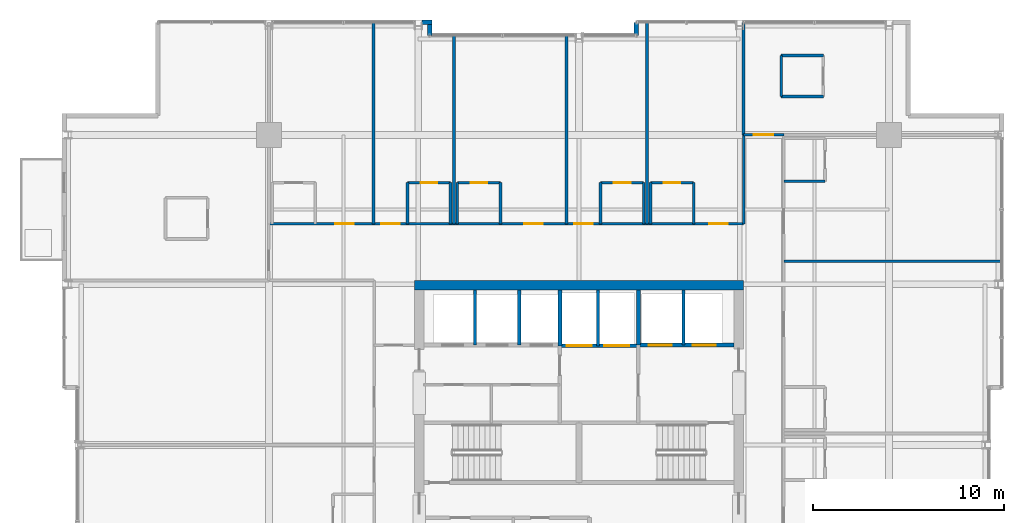
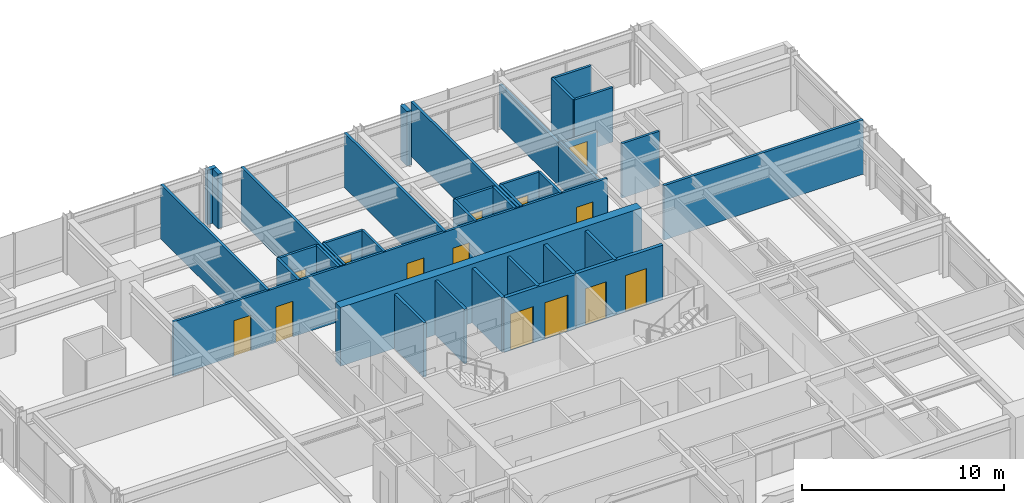
# One storey, part 28 of 32: 37 walls, 14 doors, 14 openings.
"""IFC4 building model written with IfcOpenShell, lengths in metres."""

from ifc_helpers import new_model, si_unit, direction, frame, frame_2d, origin, place, context, subcontext, project, spatial, rectangle, extrude, material, layer, layer_set, type_object, element, fill, save


model = new_model("IFC4")

# Units and contexts
model_context = context("Model", 3, precision=1e-05, world=origin(), true_north=direction((0.0, 1.0)))
body_context = subcontext(model_context, "Body", "Model", "MODEL_VIEW")
ifc_project = project(units=[si_unit("LENGTHUNIT", "METRE"), si_unit("AREAUNIT", "SQUARE_METRE"), si_unit("VOLUMEUNIT", "CUBIC_METRE"), si_unit("PLANEANGLEUNIT", "RADIAN"), si_unit("MASSUNIT", "GRAM", prefix="KILO")], contexts=[model_context])

# Site, building, storey
site_placement = place(None, origin())
site = spatial("IfcSite", under=ifc_project, at=site_placement, CompositionType="ELEMENT")
building_placement = place(site_placement, origin())
building = spatial("IfcBuilding", under=site, at=building_placement, Name="Drelvath Grand Hotel", CompositionType="ELEMENT")
storey_placement = place(building_placement, frame((0.0, 0.0, 189.449951171875)))
storey = spatial("IfcBuildingStorey", under=building, at=storey_placement, Name="L49", CompositionType="ELEMENT", Elevation=189.449951171875)

# Wall, openings, doors
ifc_material_1 = material(Name="Concrete C40/50", Category="concrete")
ifc_layer_1 = layer(ifc_material_1, 0.199951171875)
ifc_layer_set_1 = layer_set([ifc_layer_1], Name="Concrete C40/50")
wall_type_1 = type_object("IfcWallType", Name="Core Hoistway Fire Wall 200", PredefinedType="SOLIDWALL", material=ifc_layer_set_1)
wall_1_placement = place(storey_placement, frame((3.10009765625, 32.219970703125, 0.0), z_axis=(0.0, 0.0, 1.0), x_axis=(1.0, 0.0, 0.0)))
wall_1 = element("IfcWall", 1, at=wall_1_placement, inside=storey, type_object=wall_type_1, Name="L49 FSAE Hoistway Front Wall", PredefinedType="SOLIDWALL", context=body_context, shape_type="SweptSolid", body=[
    extrude(rectangle(XDim=5.0, YDim=0.199951171875, at=frame_2d((2.5, 0.0))), origin(), (0.0, 0.0, 1.0), 3.2900390625),
])
opening_1_placement = place(wall_1_placement, frame((0.550048828125, 0.0, 0.0)))
opening_1 = element("IfcOpeningElement", 2, at=opening_1_placement, cuts=wall_1, Name="Opening LD-FSAE-1", PredefinedType="OPENING", context=body_context, shape_type="SweptSolid", body=[
    extrude(rectangle(XDim=1.199951171875, YDim=2.199951171875, at=frame_2d((0.60009765625, 1.10009765625))), frame((0.0, 0.10986328125, 0.0), z_axis=(0.0, -1.0, 0.0), x_axis=(1.0, 0.0, 0.0)), (0.0, 0.0, 1.0), 0.219970703125),
])
opening_2_placement = place(wall_1_placement, frame((2.85009765625, 0.0, 0.0)))
opening_2 = element("IfcOpeningElement", 3, at=opening_2_placement, cuts=wall_1, Name="Opening LD-FSAE-2", PredefinedType="OPENING", context=body_context, shape_type="SweptSolid", body=[
    extrude(rectangle(XDim=1.199951171875, YDim=2.199951171875, at=frame_2d((0.60009765625, 1.10009765625))), frame((0.0, 0.10986328125, 0.0), z_axis=(0.0, -1.0, 0.0), x_axis=(1.0, 0.0, 0.0)), (0.0, 0.0, 1.0), 0.219970703125),
])
ifc_material_2 = material(Name="Stainless Steel S355", Category="steel")
door_type_1 = type_object("IfcDoorType", Name="FSAE Lift Sliding Landing Door 1200x2200", OperationType="NOTDEFINED", PredefinedType="DOOR", material=ifc_material_2)
door_1_placement = place(opening_1_placement, origin())
door_1 = element("IfcDoor", 4, at=door_1_placement, inside=storey, type_object=door_type_1, Name="L49 Lift FSAE-1 Landing Door", OperationType="SLIDING_TO_LEFT", OverallHeight=2.199951171875, OverallWidth=1.199951171875, PredefinedType="DOOR", context=body_context, shape_type="SweptSolid", body=[
    extrude(rectangle(XDim=1.199951171875, YDim=2.199951171875, at=frame_2d((0.60009765625, 1.10009765625))), frame((0.0, 0.02490234375, 0.0), z_axis=(0.0, -1.0, 0.0), x_axis=(1.0, 0.0, 0.0)), (0.0, 0.0, 1.0), 0.050048828125),
])
fill(opening_1, door_1)
door_2_placement = place(opening_2_placement, origin())
door_2 = element("IfcDoor", 5, at=door_2_placement, inside=storey, type_object=door_type_1, Name="L49 Lift FSAE-2 Landing Door", OperationType="SLIDING_TO_LEFT", OverallHeight=2.199951171875, OverallWidth=1.199951171875, PredefinedType="DOOR", context=body_context, shape_type="SweptSolid", body=[
    extrude(rectangle(XDim=1.199951171875, YDim=2.199951171875, at=frame_2d((0.60009765625, 1.10009765625))), frame((0.0, 0.02490234375, 0.0), z_axis=(0.0, -1.0, 0.0), x_axis=(1.0, 0.0, 0.0)), (0.0, 0.0, 1.0), 0.050048828125),
])
fill(opening_2, door_2)

# Wall
wall_2_placement = place(storey_placement, frame((3.10009765625, 32.219970703125, 0.0), z_axis=(0.0, 0.0, 1.0), x_axis=(0.0, 1.0, 0.0)))
element("IfcWall", 6, at=wall_2_placement, inside=storey, type_object=wall_type_1, Name="L49 FSAE Hoistway West Wall", PredefinedType="SOLIDWALL", context=body_context, shape_type="SweptSolid", body=[
    extrude(rectangle(XDim=2.880126953125, YDim=0.199951171875, at=frame_2d((1.43994140625, 0.0))), origin(), (0.0, 0.0, 1.0), 3.2900390625),
])

# Wall, openings, doors
wall_3_placement = place(storey_placement, frame((-1.0, 32.179931640625, 0.0), z_axis=(0.0, 0.0, 1.0), x_axis=(1.0, 0.0, 0.0)))
wall_3 = element("IfcWall", 7, at=wall_3_placement, inside=storey, type_object=wall_type_1, Name="L49 Service Lift Hoistway Wall", PredefinedType="SOLIDWALL", context=body_context, shape_type="SweptSolid", body=[
    extrude(rectangle(XDim=4.10009765625, YDim=0.199951171875, at=frame_2d((2.050048828125, 0.0))), origin(), (0.0, 0.0, 1.0), 3.2900390625),
])
opening_3_placement = place(wall_3_placement, frame((0.3701171875, 0.0, 0.0)))
opening_3 = element("IfcOpeningElement", 8, at=opening_3_placement, cuts=wall_3, Name="Opening LD-SV-2", PredefinedType="OPENING", context=body_context, shape_type="SweptSolid", body=[
    extrude(rectangle(XDim=1.300048828125, YDim=2.199951171875, at=frame_2d((0.64990234375, 1.10009765625))), frame((0.0, 0.10986328125, 0.0), z_axis=(0.0, -1.0, 0.0), x_axis=(1.0, 0.0, 0.0)), (0.0, 0.0, 1.0), 0.219970703125),
])
opening_4_placement = place(wall_3_placement, frame((2.330078125, 0.0, 0.0)))
opening_4 = element("IfcOpeningElement", 9, at=opening_4_placement, cuts=wall_3, Name="Opening LD-SV-1", PredefinedType="OPENING", context=body_context, shape_type="SweptSolid", body=[
    extrude(rectangle(XDim=1.300048828125, YDim=2.199951171875, at=frame_2d((0.64990234375, 1.10009765625))), frame((0.0, 0.10986328125, 0.0), z_axis=(0.0, -1.0, 0.0), x_axis=(1.0, 0.0, 0.0)), (0.0, 0.0, 1.0), 0.219970703125),
])
door_type_2 = type_object("IfcDoorType", Name="Service Lift Sliding Landing Door 1300x2200", OperationType="NOTDEFINED", PredefinedType="DOOR", material=ifc_material_2)
door_3_placement = place(opening_3_placement, origin())
door_3 = element("IfcDoor", 10, at=door_3_placement, inside=storey, type_object=door_type_2, Name="L49 Lift SV-2 Landing Door", OperationType="SLIDING_TO_LEFT", OverallHeight=2.199951171875, OverallWidth=1.300048828125, PredefinedType="DOOR", context=body_context, shape_type="SweptSolid", body=[
    extrude(rectangle(XDim=1.300048828125, YDim=2.199951171875, at=frame_2d((0.64990234375, 1.10009765625))), frame((0.0, 0.02490234375, 0.0), z_axis=(0.0, -1.0, 0.0), x_axis=(1.0, 0.0, 0.0)), (0.0, 0.0, 1.0), 0.050048828125),
])
fill(opening_3, door_3)
door_4_placement = place(opening_4_placement, origin())
door_4 = element("IfcDoor", 11, at=door_4_placement, inside=storey, type_object=door_type_2, Name="L49 Lift SV-1 Landing Door", OperationType="SLIDING_TO_LEFT", OverallHeight=2.199951171875, OverallWidth=1.300048828125, PredefinedType="DOOR", context=body_context, shape_type="SweptSolid", body=[
    extrude(rectangle(XDim=1.300048828125, YDim=2.199951171875, at=frame_2d((0.64990234375, 1.10009765625))), frame((0.0, 0.02490234375, 0.0), z_axis=(0.0, -1.0, 0.0), x_axis=(1.0, 0.0, 0.0)), (0.0, 0.0, 1.0), 0.050048828125),
])
fill(opening_4, door_4)

# Walls
wall_4_placement = place(storey_placement, frame((-1.0, 32.179931640625, 0.0), z_axis=(0.0, 0.0, 1.0), x_axis=(0.0, 1.0, 0.0)))
element("IfcWall", 12, at=wall_4_placement, inside=storey, type_object=wall_type_1, Name="L49 Service Lift West Wall", PredefinedType="SOLIDWALL", context=body_context, shape_type="SweptSolid", body=[
    extrude(rectangle(XDim=2.920166015625, YDim=0.199951171875, at=frame_2d((1.4599609375, 0.0))), origin(), (0.0, 0.0, 1.0), 3.2900390625),
])
ifc_material_3 = material(Name="Gypsum Fireboard Partition")
ifc_layer_2 = layer(ifc_material_3, 0.1650390625)
ifc_layer_set_2 = layer_set([ifc_layer_2], Name="Gypsum Fireboard Partition")
wall_type_2 = type_object("IfcWallType", Name="Core Shaft Partition 165", PredefinedType="PARTITIONING", material=ifc_layer_set_2)
wall_5_placement = place(storey_placement, frame((5.449951171875, 32.219970703125, 0.0), z_axis=(0.0, 0.0, 1.0), x_axis=(0.0, 1.0, 0.0)))
element("IfcWall", 13, at=wall_5_placement, inside=storey, type_object=wall_type_2, Name="L49 FSAE Hoistway Divider", PredefinedType="PARTITIONING", context=body_context, shape_type="SweptSolid", body=[
    extrude(rectangle(XDim=2.880126953125, YDim=0.1650390625, at=frame_2d((1.43994140625, 0.0))), origin(), (0.0, 0.0, 1.0), 3.2900390625),
])
wall_6_placement = place(storey_placement, frame((1.0, 32.179931640625, 0.0), z_axis=(0.0, 0.0, 1.0), x_axis=(0.0, 1.0, 0.0)))
element("IfcWall", 14, at=wall_6_placement, inside=storey, type_object=wall_type_2, Name="L49 Service Lift Divider", PredefinedType="PARTITIONING", context=body_context, shape_type="SweptSolid", body=[
    extrude(rectangle(XDim=2.920166015625, YDim=0.1650390625, at=frame_2d((1.4599609375, 0.0))), origin(), (0.0, 0.0, 1.0), 3.2900390625),
])
for number, where, z_axis, x_axis, name in (
    (15, (-5.43994140625, 32.219970703125, 0.0), (0.0, 0.0, 1.0), (0.0, 1.0, 0.0), "L49 Lift PE-7/8 Divider"),
    (16, (-3.1201171875, 32.219970703125, 0.0), (0.0, 0.0, 1.0), (0.0, 1.0, 0.0), "L49 Lift PE-8/9 Divider"),
):
    element("IfcWall", number, at=place(storey_placement, frame(where, z_axis=z_axis, x_axis=x_axis)), inside=storey, type_object=wall_type_2, Name=name, PredefinedType="PARTITIONING", context=body_context, shape_type="SweptSolid", body=[
        extrude(rectangle(XDim=2.880126953125, YDim=0.1650390625, at=frame_2d((1.43994140625, 0.0))), origin(), (0.0, 0.0, 1.0), 3.2900390625),
    ])
ifc_layer_3 = layer(ifc_material_3, 0.135009765625)
ifc_layer_set_3 = layer_set([ifc_layer_3], Name="Gypsum Fireboard Partition")
wall_type_3 = type_object("IfcWallType", Name="Corridor Fire Barrier Wall 135", PredefinedType="PARTITIONING", material=ifc_layer_set_3)
wall_7_placement = place(storey_placement, frame((8.60009765625, 38.550048828125, 0.0), z_axis=(0.0, 0.0, 1.0), x_axis=(0.0, 1.0, 0.0)))
element("IfcWall", 17, at=wall_7_placement, inside=storey, type_object=wall_type_3, Name="L49 East Spine North Inner Wall", PredefinedType="PARTITIONING", context=body_context, shape_type="SweptSolid", body=[
    extrude(rectangle(XDim=4.64990234375, YDim=0.135009765625, at=frame_2d((2.324951171875, 0.0))), origin(), (0.0, 0.0, 1.0), 2.66748046875),
])

# Wall, openings, doors
wall_8_placement = place(storey_placement, frame((-16.199951171875, 38.550048828125, 0.0), z_axis=(0.0, 0.0, 1.0), x_axis=(1.0, 0.0, 0.0)))
wall_8 = element("IfcWall", 18, at=wall_8_placement, inside=storey, type_object=wall_type_3, Name="L49 North Stub Corridor Wall", PredefinedType="PARTITIONING", context=body_context, shape_type="SweptSolid", body=[
    extrude(rectangle(XDim=24.800048828125, YDim=0.135009765625, at=frame_2d((12.39990234375, 0.0))), origin(), (0.0, 0.0, 1.0), 3.2900390625),
])
opening_5_placement = place(wall_8_placement, frame((3.46728515625, 0.0, 0.0)))
opening_5 = element("IfcOpeningElement", 19, at=opening_5_placement, cuts=wall_8, Name="Opening D-T3G4-040", PredefinedType="OPENING", context=body_context, shape_type="SweptSolid", body=[
    extrude(rectangle(XDim=0.9599609375, YDim=2.14990234375, at=frame_2d((0.47998046875, 1.074951171875))), frame((0.0, 0.077392578125, 0.0), z_axis=(0.0, -1.0, 0.0), x_axis=(1.0, 0.0, 0.0)), (0.0, 0.0, 1.0), 0.155029296875),
])
opening_6_placement = place(wall_8_placement, frame((5.87109375, 0.0, 0.0)))
opening_6 = element("IfcOpeningElement", 20, at=opening_6_placement, cuts=wall_8, Name="Opening D-T3G4-042", PredefinedType="OPENING", context=body_context, shape_type="SweptSolid", body=[
    extrude(rectangle(XDim=0.9599609375, YDim=2.14990234375, at=frame_2d((0.47998046875, 1.074951171875))), frame((0.0, 0.077392578125, 0.0), z_axis=(0.0, -1.0, 0.0), x_axis=(1.0, 0.0, 0.0)), (0.0, 0.0, 1.0), 0.155029296875),
])
opening_7_placement = place(wall_8_placement, frame((13.34521484375, 0.0, 0.0)))
opening_7 = element("IfcOpeningElement", 21, at=opening_7_placement, cuts=wall_8, Name="Opening D-T3G4-044", PredefinedType="OPENING", context=body_context, shape_type="SweptSolid", body=[
    extrude(rectangle(XDim=0.9599609375, YDim=2.14990234375, at=frame_2d((0.47998046875, 1.074951171875))), frame((0.0, 0.077392578125, 0.0), z_axis=(0.0, -1.0, 0.0), x_axis=(1.0, 0.0, 0.0)), (0.0, 0.0, 1.0), 0.155029296875),
])
opening_8_placement = place(wall_8_placement, frame((15.959228515625, 0.0, 0.0)))
opening_8 = element("IfcOpeningElement", 22, at=opening_8_placement, cuts=wall_8, Name="Opening D-T3G4-046", PredefinedType="OPENING", context=body_context, shape_type="SweptSolid", body=[
    extrude(rectangle(XDim=0.9599609375, YDim=2.14990234375, at=frame_2d((0.47998046875, 1.074951171875))), frame((0.0, 0.077392578125, 0.0), z_axis=(0.0, -1.0, 0.0), x_axis=(1.0, 0.0, 0.0)), (0.0, 0.0, 1.0), 0.155029296875),
])
opening_9_placement = place(wall_8_placement, frame((23.012939453125, 0.0, 0.0)))
opening_9 = element("IfcOpeningElement", 23, at=opening_9_placement, cuts=wall_8, Name="Opening D-T3G4-048", PredefinedType="OPENING", context=body_context, shape_type="SweptSolid", body=[
    extrude(rectangle(XDim=0.9599609375, YDim=2.14990234375, at=frame_2d((0.47998046875, 1.074951171875))), frame((0.0, 0.077392578125, 0.0), z_axis=(0.0, -1.0, 0.0), x_axis=(1.0, 0.0, 0.0)), (0.0, 0.0, 1.0), 0.155029296875),
])
ifc_material_4 = material(Name="Hardwood Walnut Timber", Category="wood")
door_type_3 = type_object("IfcDoorType", Name="Guestroom Entrance Fire Door 960x2150", OperationType="NOTDEFINED", PredefinedType="DOOR", material=ifc_material_4)
door_5_placement = place(opening_5_placement, origin())
door_5 = element("IfcDoor", 24, at=door_5_placement, inside=storey, type_object=door_type_3, Name="L49 Deluxe Guest Room Entry Door", OperationType="SINGLE_SWING_RIGHT", OverallHeight=2.14990234375, OverallWidth=0.9599609375, PredefinedType="DOOR", context=body_context, shape_type="SweptSolid", body=[
    extrude(rectangle(XDim=0.9599609375, YDim=2.14990234375, at=frame_2d((0.47998046875, 1.074951171875))), frame((0.0, 0.02490234375, 0.0), z_axis=(0.0, -1.0, 0.0), x_axis=(1.0, 0.0, 0.0)), (0.0, 0.0, 1.0), 0.050048828125),
])
fill(opening_5, door_5)
door_6_placement = place(opening_6_placement, origin())
door_6 = element("IfcDoor", 25, at=door_6_placement, inside=storey, type_object=door_type_3, Name="L49 Deluxe Guest Room Entry Door", OperationType="SINGLE_SWING_RIGHT", OverallHeight=2.14990234375, OverallWidth=0.9599609375, PredefinedType="DOOR", context=body_context, shape_type="SweptSolid", body=[
    extrude(rectangle(XDim=0.9599609375, YDim=2.14990234375, at=frame_2d((0.47998046875, 1.074951171875))), frame((0.0, 0.02490234375, 0.0), z_axis=(0.0, -1.0, 0.0), x_axis=(1.0, 0.0, 0.0)), (0.0, 0.0, 1.0), 0.050048828125),
])
fill(opening_6, door_6)
door_7_placement = place(opening_7_placement, origin())
door_7 = element("IfcDoor", 26, at=door_7_placement, inside=storey, type_object=door_type_3, Name="L49 Deluxe Guest Room Entry Door", OperationType="SINGLE_SWING_RIGHT", OverallHeight=2.14990234375, OverallWidth=0.9599609375, PredefinedType="DOOR", context=body_context, shape_type="SweptSolid", body=[
    extrude(rectangle(XDim=0.9599609375, YDim=2.14990234375, at=frame_2d((0.47998046875, 1.074951171875))), frame((0.0, 0.02490234375, 0.0), z_axis=(0.0, -1.0, 0.0), x_axis=(1.0, 0.0, 0.0)), (0.0, 0.0, 1.0), 0.050048828125),
])
fill(opening_7, door_7)
door_8_placement = place(opening_8_placement, origin())
door_8 = element("IfcDoor", 27, at=door_8_placement, inside=storey, type_object=door_type_3, Name="L49 Deluxe Guest Room Entry Door", OperationType="SINGLE_SWING_RIGHT", OverallHeight=2.14990234375, OverallWidth=0.9599609375, PredefinedType="DOOR", context=body_context, shape_type="SweptSolid", body=[
    extrude(rectangle(XDim=0.9599609375, YDim=2.14990234375, at=frame_2d((0.47998046875, 1.074951171875))), frame((0.0, 0.02490234375, 0.0), z_axis=(0.0, -1.0, 0.0), x_axis=(1.0, 0.0, 0.0)), (0.0, 0.0, 1.0), 0.050048828125),
])
fill(opening_8, door_8)
door_9_placement = place(opening_9_placement, origin())
door_9 = element("IfcDoor", 28, at=door_9_placement, inside=storey, type_object=door_type_3, Name="L49 Deluxe Guest Room Entry Door", OperationType="SINGLE_SWING_RIGHT", OverallHeight=2.14990234375, OverallWidth=0.9599609375, PredefinedType="DOOR", context=body_context, shape_type="SweptSolid", body=[
    extrude(rectangle(XDim=0.9599609375, YDim=2.14990234375, at=frame_2d((0.47998046875, 1.074951171875))), frame((0.0, 0.02490234375, 0.0), z_axis=(0.0, -1.0, 0.0), x_axis=(1.0, 0.0, 0.0)), (0.0, 0.0, 1.0), 0.050048828125),
])
fill(opening_9, door_9)

# Wall, opening, door
wall_9_placement = place(storey_placement, frame((8.60009765625, 43.199951171875, 0.0), z_axis=(0.0, 0.0, 1.0), x_axis=(1.0, 0.0, 0.0)))
wall_9 = element("IfcWall", 29, at=wall_9_placement, inside=storey, type_object=wall_type_3, Name="L49 East Spine North End", PredefinedType="PARTITIONING", context=body_context, shape_type="SweptSolid", body=[
    extrude(rectangle(XDim=2.099853515625, YDim=0.135009765625, at=frame_2d((1.0498046875, 0.0))), origin(), (0.0, 0.0, 1.0), 2.57958984375),
])
opening_10_placement = place(wall_9_placement, frame((0.52001953125, 0.0, 0.0)))
opening_10 = element("IfcOpeningElement", 30, at=opening_10_placement, cuts=wall_9, Name="Opening D-T3G4-033", PredefinedType="OPENING", context=body_context, shape_type="SweptSolid", body=[
    extrude(rectangle(XDim=1.02001953125, YDim=2.14990234375, at=frame_2d((0.510009765625, 1.074951171875))), frame((0.0, 0.077392578125, 0.0), z_axis=(0.0, -1.0, 0.0), x_axis=(1.0, 0.0, 0.0)), (0.0, 0.0, 1.0), 0.155029296875),
])
door_type_4 = type_object("IfcDoorType", Name="Amenity Meeting Fire Door 1020x2150", OperationType="NOTDEFINED", PredefinedType="DOOR", material=ifc_material_4)
door_10_placement = place(opening_10_placement, origin())
door_10 = element("IfcDoor", 31, at=door_10_placement, inside=storey, type_object=door_type_4, Name="L49 Executive Suite Entry Door", OperationType="SINGLE_SWING_LEFT", OverallHeight=2.14990234375, OverallWidth=1.02001953125, PredefinedType="DOOR", context=body_context, shape_type="SweptSolid", body=[
    extrude(rectangle(XDim=1.02001953125, YDim=2.14990234375, at=frame_2d((0.510009765625, 1.074951171875))), frame((0.0, 0.02490234375, 0.0), z_axis=(0.0, -1.0, 0.0), x_axis=(1.0, 0.0, 0.0)), (0.0, 0.0, 1.0), 0.050048828125),
])
fill(opening_10, door_10)

# Walls
ifc_material_5 = material(Name="Moisture-Resistant Gypsum Board")
ifc_layer_4 = layer(ifc_material_5, 0.139892578125)
ifc_layer_set_4 = layer_set([ifc_layer_4], Name="Moisture-Resistant Gypsum Board")
wall_type_4 = type_object("IfcWallType", Name="En-Suite Plumbing Wall 140", PredefinedType="PLUMBINGWALL", material=ifc_layer_set_4)
for number, where, z_axis, x_axis, name in (
    (32, (10.56005859375, 45.199951171875, 0.0), (0.0, 0.0, 1.0), (1.0, 0.0, 0.0), "L49 Corner En-Suite South"),
    (33, (10.56005859375, 47.35009765625, 0.0), (0.0, 0.0, 1.0), (1.0, 0.0, 0.0), "L49 Corner En-Suite North"),
):
    element("IfcWall", number, at=place(storey_placement, frame(where, z_axis=z_axis, x_axis=x_axis)), inside=storey, type_object=wall_type_4, Name=name, PredefinedType="PLUMBINGWALL", context=body_context, shape_type="SweptSolid", body=[
        extrude(rectangle(XDim=2.199951171875, YDim=0.139892578125, at=frame_2d((1.10009765625, 0.0))), origin(), (0.0, 0.0, 1.0), 3.2900390625),
    ])
wall_10_placement = place(storey_placement, frame((10.56005859375, 45.199951171875, 0.0), z_axis=(0.0, 0.0, 1.0), x_axis=(0.0, 1.0, 0.0)))
element("IfcWall", 34, at=wall_10_placement, inside=storey, type_object=wall_type_4, Name="L49 Corner En-Suite West", PredefinedType="PLUMBINGWALL", context=body_context, shape_type="SweptSolid", body=[
    extrude(rectangle(XDim=2.150146484375, YDim=0.139892578125, at=frame_2d((1.0751953125, 0.0))), origin(), (0.0, 0.0, 1.0), 3.2900390625),
])
for number, where, z_axis, x_axis, name in (
    (35, (-8.962158203125, 38.550048828125, 0.0), (0.0, 0.0, 1.0), (0.0, 1.0, 0.0), "L49 En-Suite Left Wall"),
    (36, (-6.712158203125, 38.550048828125, 0.0), (0.0, 0.0, 1.0), (0.0, 1.0, 0.0), "L49 En-Suite Right Wall"),
):
    element("IfcWall", number, at=place(storey_placement, frame(where, z_axis=z_axis, x_axis=x_axis)), inside=storey, type_object=wall_type_4, Name=name, PredefinedType="PLUMBINGWALL", context=body_context, shape_type="SweptSolid", body=[
        extrude(rectangle(XDim=2.14990234375, YDim=0.139892578125, at=frame_2d((1.074951171875, 0.0))), origin(), (0.0, 0.0, 1.0), 3.2900390625),
    ])

# Wall, opening, door
wall_11_placement = place(storey_placement, frame((-8.962158203125, 40.699951171875, 0.0), z_axis=(0.0, 0.0, 1.0), x_axis=(1.0, 0.0, 0.0)))
wall_11 = element("IfcWall", 37, at=wall_11_placement, inside=storey, type_object=wall_type_4, Name="L49 En-Suite Front Wall", PredefinedType="PLUMBINGWALL", context=body_context, shape_type="SweptSolid", body=[
    extrude(rectangle(XDim=2.25, YDim=0.139892578125, at=frame_2d((1.125, 0.0))), origin(), (0.0, 0.0, 1.0), 3.2900390625),
])
opening_11_placement = place(wall_11_placement, frame((0.68505859375, 0.0, 0.0)))
opening_11 = element("IfcOpeningElement", 38, at=opening_11_placement, cuts=wall_11, Name="Opening D-T3G4-041", PredefinedType="OPENING", context=body_context, shape_type="SweptSolid", body=[
    extrude(rectangle(XDim=0.8798828125, YDim=2.10009765625, at=frame_2d((0.43994140625, 1.050048828125))), frame((0.0, 0.079833984375, 0.0), z_axis=(0.0, -1.0, 0.0), x_axis=(1.0, 0.0, 0.0)), (0.0, 0.0, 1.0), 0.159912109375),
])
door_type_5 = type_object("IfcDoorType", Name="En-Suite Bathroom Door 880x2100", OperationType="NOTDEFINED", PredefinedType="DOOR", material=ifc_material_4)
door_11_placement = place(opening_11_placement, origin())
door_11 = element("IfcDoor", 39, at=door_11_placement, inside=storey, type_object=door_type_5, Name="L49 En-Suite Bathroom Door", OperationType="SINGLE_SWING_LEFT", OverallHeight=2.10009765625, OverallWidth=0.8798828125, PredefinedType="DOOR", context=body_context, shape_type="SweptSolid", body=[
    extrude(rectangle(XDim=0.8798828125, YDim=2.10009765625, at=frame_2d((0.43994140625, 1.050048828125))), frame((0.0, 0.02490234375, 0.0), z_axis=(0.0, -1.0, 0.0), x_axis=(1.0, 0.0, 0.0)), (0.0, 0.0, 1.0), 0.050048828125),
])
fill(opening_11, door_11)

# Walls
for number, where, z_axis, x_axis, name in (
    (40, (-6.352294921875, 38.550048828125, 0.0), (0.0, 0.0, 1.0), (0.0, 1.0, 0.0), "L49 En-Suite Left Wall"),
    (41, (-4.102294921875, 38.550048828125, 0.0), (0.0, 0.0, 1.0), (0.0, 1.0, 0.0), "L49 En-Suite Right Wall"),
):
    element("IfcWall", number, at=place(storey_placement, frame(where, z_axis=z_axis, x_axis=x_axis)), inside=storey, type_object=wall_type_4, Name=name, PredefinedType="PLUMBINGWALL", context=body_context, shape_type="SweptSolid", body=[
        extrude(rectangle(XDim=2.14990234375, YDim=0.139892578125, at=frame_2d((1.074951171875, 0.0))), origin(), (0.0, 0.0, 1.0), 3.2900390625),
    ])

# Wall, opening, door
wall_12_placement = place(storey_placement, frame((-6.352294921875, 40.699951171875, 0.0), z_axis=(0.0, 0.0, 1.0), x_axis=(1.0, 0.0, 0.0)))
wall_12 = element("IfcWall", 42, at=wall_12_placement, inside=storey, type_object=wall_type_4, Name="L49 En-Suite Front Wall", PredefinedType="PLUMBINGWALL", context=body_context, shape_type="SweptSolid", body=[
    extrude(rectangle(XDim=2.25, YDim=0.139892578125, at=frame_2d((1.125, 0.0))), origin(), (0.0, 0.0, 1.0), 3.2900390625),
])
opening_12_placement = place(wall_12_placement, frame((0.68505859375, 0.0, 0.0)))
opening_12 = element("IfcOpeningElement", 43, at=opening_12_placement, cuts=wall_12, Name="Opening D-T3G4-043", PredefinedType="OPENING", context=body_context, shape_type="SweptSolid", body=[
    extrude(rectangle(XDim=0.8798828125, YDim=2.10009765625, at=frame_2d((0.43994140625, 1.050048828125))), frame((0.0, 0.079833984375, 0.0), z_axis=(0.0, -1.0, 0.0), x_axis=(1.0, 0.0, 0.0)), (0.0, 0.0, 1.0), 0.159912109375),
])
door_12_placement = place(opening_12_placement, origin())
door_12 = element("IfcDoor", 44, at=door_12_placement, inside=storey, type_object=door_type_5, Name="L49 En-Suite Bathroom Door", OperationType="SINGLE_SWING_LEFT", OverallHeight=2.10009765625, OverallWidth=0.8798828125, PredefinedType="DOOR", context=body_context, shape_type="SweptSolid", body=[
    extrude(rectangle(XDim=0.8798828125, YDim=2.10009765625, at=frame_2d((0.43994140625, 1.050048828125))), frame((0.0, 0.02490234375, 0.0), z_axis=(0.0, -1.0, 0.0), x_axis=(1.0, 0.0, 0.0)), (0.0, 0.0, 1.0), 0.050048828125),
])
fill(opening_12, door_12)

# Walls
for number, where, z_axis, x_axis, name in (
    (45, (1.1259765625, 38.550048828125, 0.0), (0.0, 0.0, 1.0), (0.0, 1.0, 0.0), "L49 En-Suite Left Wall"),
    (46, (3.3759765625, 38.550048828125, 0.0), (0.0, 0.0, 1.0), (0.0, 1.0, 0.0), "L49 En-Suite Right Wall"),
):
    element("IfcWall", number, at=place(storey_placement, frame(where, z_axis=z_axis, x_axis=x_axis)), inside=storey, type_object=wall_type_4, Name=name, PredefinedType="PLUMBINGWALL", context=body_context, shape_type="SweptSolid", body=[
        extrude(rectangle(XDim=2.14990234375, YDim=0.139892578125, at=frame_2d((1.074951171875, 0.0))), origin(), (0.0, 0.0, 1.0), 3.2900390625),
    ])

# Wall, opening, door
wall_13_placement = place(storey_placement, frame((1.1259765625, 40.699951171875, 0.0), z_axis=(0.0, 0.0, 1.0), x_axis=(1.0, 0.0, 0.0)))
wall_13 = element("IfcWall", 47, at=wall_13_placement, inside=storey, type_object=wall_type_4, Name="L49 En-Suite Front Wall", PredefinedType="PLUMBINGWALL", context=body_context, shape_type="SweptSolid", body=[
    extrude(rectangle(XDim=2.25, YDim=0.139892578125, at=frame_2d((1.125, 0.0))), origin(), (0.0, 0.0, 1.0), 3.2900390625),
])
opening_13_placement = place(wall_13_placement, frame((0.68505859375, 0.0, 0.0)))
opening_13 = element("IfcOpeningElement", 48, at=opening_13_placement, cuts=wall_13, Name="Opening D-T3G4-045", PredefinedType="OPENING", context=body_context, shape_type="SweptSolid", body=[
    extrude(rectangle(XDim=0.8798828125, YDim=2.10009765625, at=frame_2d((0.43994140625, 1.050048828125))), frame((0.0, 0.079833984375, 0.0), z_axis=(0.0, -1.0, 0.0), x_axis=(1.0, 0.0, 0.0)), (0.0, 0.0, 1.0), 0.159912109375),
])
door_13_placement = place(opening_13_placement, origin())
door_13 = element("IfcDoor", 49, at=door_13_placement, inside=storey, type_object=door_type_5, Name="L49 En-Suite Bathroom Door", OperationType="SINGLE_SWING_LEFT", OverallHeight=2.10009765625, OverallWidth=0.8798828125, PredefinedType="DOOR", context=body_context, shape_type="SweptSolid", body=[
    extrude(rectangle(XDim=0.8798828125, YDim=2.10009765625, at=frame_2d((0.43994140625, 1.050048828125))), frame((0.0, 0.02490234375, 0.0), z_axis=(0.0, -1.0, 0.0), x_axis=(1.0, 0.0, 0.0)), (0.0, 0.0, 1.0), 0.050048828125),
])
fill(opening_13, door_13)

# Walls
for number, where, z_axis, x_axis, name in (
    (50, (3.73583984375, 38.550048828125, 0.0), (0.0, 0.0, 1.0), (0.0, 1.0, 0.0), "L49 En-Suite Left Wall"),
    (51, (5.98583984375, 38.550048828125, 0.0), (0.0, 0.0, 1.0), (0.0, 1.0, 0.0), "L49 En-Suite Right Wall"),
):
    element("IfcWall", number, at=place(storey_placement, frame(where, z_axis=z_axis, x_axis=x_axis)), inside=storey, type_object=wall_type_4, Name=name, PredefinedType="PLUMBINGWALL", context=body_context, shape_type="SweptSolid", body=[
        extrude(rectangle(XDim=2.14990234375, YDim=0.139892578125, at=frame_2d((1.074951171875, 0.0))), origin(), (0.0, 0.0, 1.0), 3.2900390625),
    ])

# Wall, opening, door
wall_14_placement = place(storey_placement, frame((3.73583984375, 40.699951171875, 0.0), z_axis=(0.0, 0.0, 1.0), x_axis=(1.0, 0.0, 0.0)))
wall_14 = element("IfcWall", 52, at=wall_14_placement, inside=storey, type_object=wall_type_4, Name="L49 En-Suite Front Wall", PredefinedType="PLUMBINGWALL", context=body_context, shape_type="SweptSolid", body=[
    extrude(rectangle(XDim=2.25, YDim=0.139892578125, at=frame_2d((1.125, 0.0))), origin(), (0.0, 0.0, 1.0), 3.2900390625),
])
opening_14_placement = place(wall_14_placement, frame((0.68505859375, 0.0, 0.0)))
opening_14 = element("IfcOpeningElement", 53, at=opening_14_placement, cuts=wall_14, Name="Opening D-T3G4-047", PredefinedType="OPENING", context=body_context, shape_type="SweptSolid", body=[
    extrude(rectangle(XDim=0.8798828125, YDim=2.10009765625, at=frame_2d((0.43994140625, 1.050048828125))), frame((0.0, 0.079833984375, 0.0), z_axis=(0.0, -1.0, 0.0), x_axis=(1.0, 0.0, 0.0)), (0.0, 0.0, 1.0), 0.159912109375),
])
door_14_placement = place(opening_14_placement, origin())
door_14 = element("IfcDoor", 54, at=door_14_placement, inside=storey, type_object=door_type_5, Name="L49 En-Suite Bathroom Door", OperationType="SINGLE_SWING_LEFT", OverallHeight=2.10009765625, OverallWidth=0.8798828125, PredefinedType="DOOR", context=body_context, shape_type="SweptSolid", body=[
    extrude(rectangle(XDim=0.8798828125, YDim=2.10009765625, at=frame_2d((0.43994140625, 1.050048828125))), frame((0.0, 0.02490234375, 0.0), z_axis=(0.0, -1.0, 0.0), x_axis=(1.0, 0.0, 0.0)), (0.0, 0.0, 1.0), 0.050048828125),
])
fill(opening_14, door_14)

# Walls
wall_15_placement = place(storey_placement, frame((10.699951171875, 40.77001953125, 0.0), z_axis=(0.0, 0.0, 1.0), x_axis=(1.0, 0.0, 0.0)))
element("IfcWall", 55, at=wall_15_placement, inside=storey, type_object=wall_type_4, Name="L49 En-Suite Left Wall", PredefinedType="PLUMBINGWALL", context=body_context, shape_type="SweptSolid", body=[
    extrude(rectangle(XDim=2.150146484375, YDim=0.139892578125, at=frame_2d((1.0751953125, 0.0))), origin(), (0.0, 0.0, 1.0), 3.2900390625),
])
ifc_material_6 = material(Name="Gypsum Acoustic Partition")
ifc_layer_5 = layer(ifc_material_6, 0.14990234375)
ifc_layer_set_5 = layer_set([ifc_layer_5], Name="Gypsum Acoustic Partition")
wall_type_5 = type_object("IfcWallType", Name="Guestroom Demising Wall 150", PredefinedType="PARTITIONING", material=ifc_layer_set_5)
wall_16_placement = place(storey_placement, frame((-10.735595703125, 38.550048828125, 0.0), z_axis=(0.0, 0.0, 1.0), x_axis=(0.0, 1.0, 0.0)))
element("IfcWall", 56, at=wall_16_placement, inside=storey, type_object=wall_type_5, Name="L49 North Demising 1", PredefinedType="PARTITIONING", context=body_context, shape_type="SweptSolid", body=[
    extrude(rectangle(XDim=10.530029296875, YDim=0.14990234375, at=frame_2d((5.26513671875, 0.0))), origin(), (0.0, 0.0, 1.0), 3.2900390625),
])
for number, where, z_axis, x_axis, name in (
    (57, (-6.5322265625, 38.550048828125, 0.0), (0.0, 0.0, 1.0), (0.0, 1.0, 0.0), "L49 North Demising 2"),
    (58, (-0.6474609375, 38.550048828125, 0.0), (0.0, 0.0, 1.0), (0.0, 1.0, 0.0), "L49 North Demising 3"),
):
    element("IfcWall", number, at=place(storey_placement, frame(where, z_axis=z_axis, x_axis=x_axis)), inside=storey, type_object=wall_type_5, Name=name, PredefinedType="PARTITIONING", context=body_context, shape_type="SweptSolid", body=[
        extrude(rectangle(XDim=9.849853515625, YDim=0.14990234375, at=frame_2d((4.9248046875, 0.0))), origin(), (0.0, 0.0, 1.0), 3.2900390625),
    ])
wall_17_placement = place(storey_placement, frame((3.555908203125, 38.550048828125, 0.0), z_axis=(0.0, 0.0, 1.0), x_axis=(0.0, 1.0, 0.0)))
element("IfcWall", 59, at=wall_17_placement, inside=storey, type_object=wall_type_5, Name="L49 North Demising 4", PredefinedType="PARTITIONING", context=body_context, shape_type="SweptSolid", body=[
    extrude(rectangle(XDim=10.530029296875, YDim=0.14990234375, at=frame_2d((5.26513671875, 0.0))), origin(), (0.0, 0.0, 1.0), 3.2900390625),
])
wall_18_placement = place(storey_placement, frame((10.699951171875, 36.60009765625, 0.0), z_axis=(0.0, 0.0, 1.0), x_axis=(1.0, 0.0, 0.0)))
element("IfcWall", 60, at=wall_18_placement, inside=storey, type_object=wall_type_5, Name="L49 East Demising 3", PredefinedType="PARTITIONING", context=body_context, shape_type="SweptSolid", body=[
    extrude(rectangle(XDim=11.380126953125, YDim=0.14990234375, at=frame_2d((5.68994140625, 0.0))), origin(), (0.0, 0.0, 1.0), 3.2900390625),
])
ifc_layer_6 = layer(ifc_material_6, 0.1650390625)
ifc_layer_set_6 = layer_set([ifc_layer_6], Name="Gypsum Acoustic Partition")
wall_type_6 = type_object("IfcWallType", Name="Suite Demising Wall 165", PredefinedType="PARTITIONING", material=ifc_layer_set_6)
wall_19_placement = place(storey_placement, frame((8.60009765625, 43.199951171875, 0.0), z_axis=(0.0, 0.0, 1.0), x_axis=(0.0, 1.0, 0.0)))
element("IfcWall", 61, at=wall_19_placement, inside=storey, type_object=wall_type_6, Name="L49 NE Suite West Wall", PredefinedType="PARTITIONING", context=body_context, shape_type="SweptSolid", body=[
    extrude(rectangle(XDim=5.880126953125, YDim=0.1650390625, at=frame_2d((2.93994140625, 0.0))), origin(), (0.0, 0.0, 1.0), 2.57958984375),
])
ifc_material_7 = material(Name="Pale-Metal Insulated Aluminium Spandrel Assembly", Category="aluminium")
ifc_layer_7 = layer(ifc_material_7, 0.239990234375)
ifc_layer_set_7 = layer_set([ifc_layer_7], Name="Pale-Metal Insulated Aluminium Spandrel Assembly")
wall_type_7 = type_object("IfcWallType", Name="Tower Insulated Metal Spandrel Closure Wall 240", PredefinedType="STANDARD", material=ifc_layer_set_7)
wall_20_placement = place(storey_placement, frame((-8.208251953125, 49.080078125, 0.0), z_axis=(0.0, 0.0, 1.0), x_axis=(1.0, 0.0, 0.0)))
element("IfcWall", 62, at=wall_20_placement, inside=storey, type_object=wall_type_7, Name="L49 Corner Pier Spandrel Wall NW3", PredefinedType="STANDARD", context=body_context, shape_type="SweptSolid", body=[
    extrude(rectangle(XDim=0.5283203125, YDim=0.239990234375, at=frame_2d((0.26416015625, 0.0))), origin(), (0.0, 0.0, 1.0), 3.2900390625),
])
wall_21_placement = place(storey_placement, frame((-7.800048828125, 48.9599609375, 0.0), z_axis=(0.0, 0.0, 1.0), x_axis=(0.0, -1.0, 0.0)))
element("IfcWall", 63, at=wall_21_placement, inside=storey, type_object=wall_type_7, Name="L49 Notched Corner Return Spandrel Wall RN1", PredefinedType="STANDARD", context=body_context, shape_type="SweptSolid", body=[
    extrude(rectangle(XDim=0.56005859375, YDim=0.239990234375, at=frame_2d((0.280029296875, 0.0))), origin(), (0.0, 0.0, 1.0), 3.2900390625),
])
wall_22_placement = place(storey_placement, frame((3.0, 48.39990234375, 0.0), z_axis=(0.0, 0.0, 1.0), x_axis=(0.0, 1.0, 0.0)))
element("IfcWall", 64, at=wall_22_placement, inside=storey, type_object=wall_type_7, Name="L49 Notched Corner Return Spandrel Wall RN2", PredefinedType="STANDARD", context=body_context, shape_type="SweptSolid", body=[
    extrude(rectangle(XDim=0.68017578125, YDim=0.239990234375, at=frame_2d((0.340087890625, 0.0))), origin(), (0.0, 0.0, 1.0), 3.2900390625),
])
ifc_material_8 = material(Name="Concrete f'c 55 MPa", Category="concrete")
ifc_layer_8 = layer(ifc_material_8, 0.5)
ifc_layer_set_8 = layer_set([ifc_layer_8], Name="Concrete f'c 55 MPa")
wall_type_8 = type_object("IfcWallType", Name="Upper Core RC Shear Wall 500", PredefinedType="SHEAR", material=ifc_layer_set_8)
wall_23_placement = place(storey_placement, frame((-8.60009765625, 35.35009765625, 0.0), z_axis=(0.0, 0.0, 1.0), x_axis=(1.0, 0.0, 0.0)))
element("IfcWall", 65, at=wall_23_placement, inside=storey, type_object=wall_type_8, Name="L49 Central Core Shear Wall N", PredefinedType="SHEAR", context=body_context, shape_type="SweptSolid", body=[
    extrude(rectangle(XDim=17.2001953125, YDim=0.5, at=frame_2d((8.60009765625, 0.0))), origin(), (0.0, 0.0, 1.0), 3.550048828125),
])

save(model, "model.ifc")
